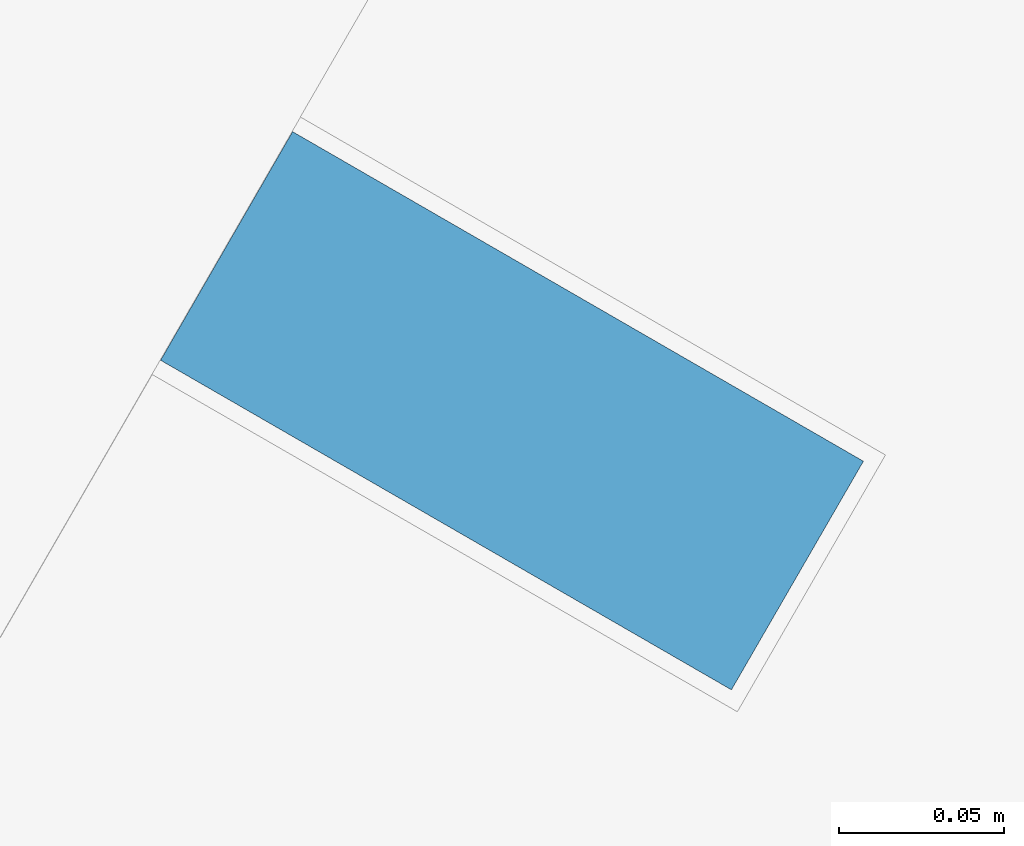
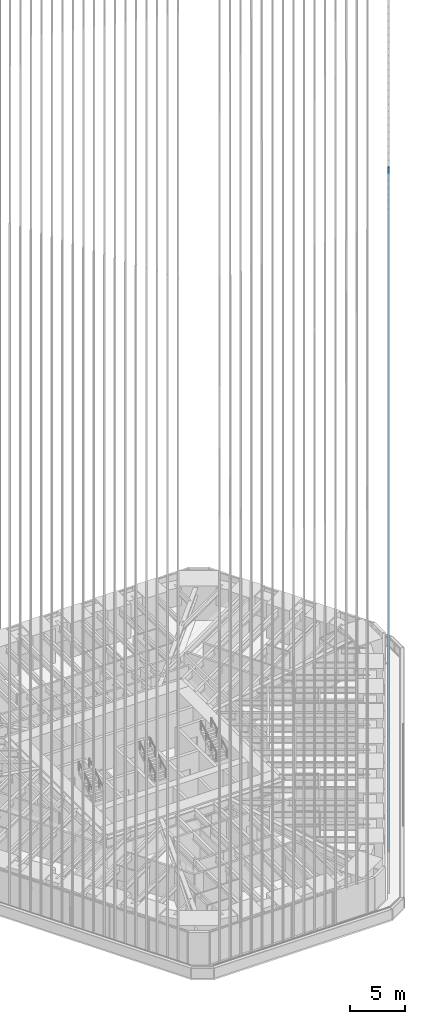
# One storey, part 77 of 238: 1 member, 1 element without a shape of its own.
"""IFC4 building model written with IfcOpenShell, lengths in metres."""

from ifc_helpers import new_model, si_unit, direction, frame, origin, origin_2d, place, context, subcontext, project, spatial, rectangle, extrude, material, material_profile, profile_set, type_object, element, aggregate, save


model = new_model("IFC4")

# Units and contexts
model_context = context("Model", 3, precision=1e-05, world=origin(), true_north=direction((0.0, 1.0)))
body_context = subcontext(model_context, "Body", "Model", "MODEL_VIEW")
ifc_project = project(units=[si_unit("LENGTHUNIT", "METRE"), si_unit("AREAUNIT", "SQUARE_METRE"), si_unit("VOLUMEUNIT", "CUBIC_METRE"), si_unit("PLANEANGLEUNIT", "RADIAN"), si_unit("MASSUNIT", "GRAM", prefix="KILO")], contexts=[model_context])

# Site, building, storey
site_placement = place(None, origin())
site = spatial("IfcSite", under=ifc_project, at=site_placement, CompositionType="ELEMENT")
building_placement = place(site_placement, origin())
building = spatial("IfcBuilding", under=site, at=building_placement, Name="Sandreach Pilgrim Tower", CompositionType="ELEMENT")
storey_placement = place(building_placement, frame((0.0, 0.0, 96.800048828125)))
storey = spatial("IfcBuildingStorey", under=building, at=storey_placement, Name="L23", CompositionType="ELEMENT", Elevation=96.800048828125)

# Curtain wall, member
ifc_material_1 = material(Name="Aluminium framed curtain wall", Category="aluminium")
curtain_wall_type = type_object("IfcCurtainWallType", Name="Hotel tower curtain wall", PredefinedType="NOTDEFINED", material=ifc_material_1)
curtain_wall_placement = place(storey_placement, origin())
curtain_wall = element("IfcCurtainWall", 1, at=curtain_wall_placement, inside=storey, type_object=curtain_wall_type, Name="CW-2 L23 SE", PredefinedType="NOTDEFINED")
ifc_material_2 = material(Name="Extruded terracotta on aluminium core", Category="masonry")
ifc_material_profile = material_profile(ifc_material_2, rectangle(XDim=0.080078125, YDim=0.199951171875, at=origin_2d()), Name="TBE 80X200")
ifc_profile_set = profile_set([ifc_material_profile], Name="Extruded terracotta on aluminium core")
member_type = type_object("IfcMemberType", Name="Terracotta baguette east", PredefinedType="USERDEFINED", material=ifc_profile_set)
member_placement = place(storey_placement, frame((14.322998046875, -20.9794921875, 0.0), z_axis=(0.0, 0.0, 1.0), x_axis=(-0.5, -0.866025403784, 0.0)))
member = element("IfcMember", 2, at=member_placement, type_object=member_type, Name="Baguette Z2 SE27", ObjectType="BAGUETTE", PredefinedType="USERDEFINED", context=body_context, shape_type="SweptSolid", body=[
    extrude(rectangle(XDim=0.080078125, YDim=0.199951171875, at=origin_2d()), origin(), (0.0, 0.0, 1.0), 75.83984375),
])
aggregate(curtain_wall, [member])

save(model, "model.ifc")
